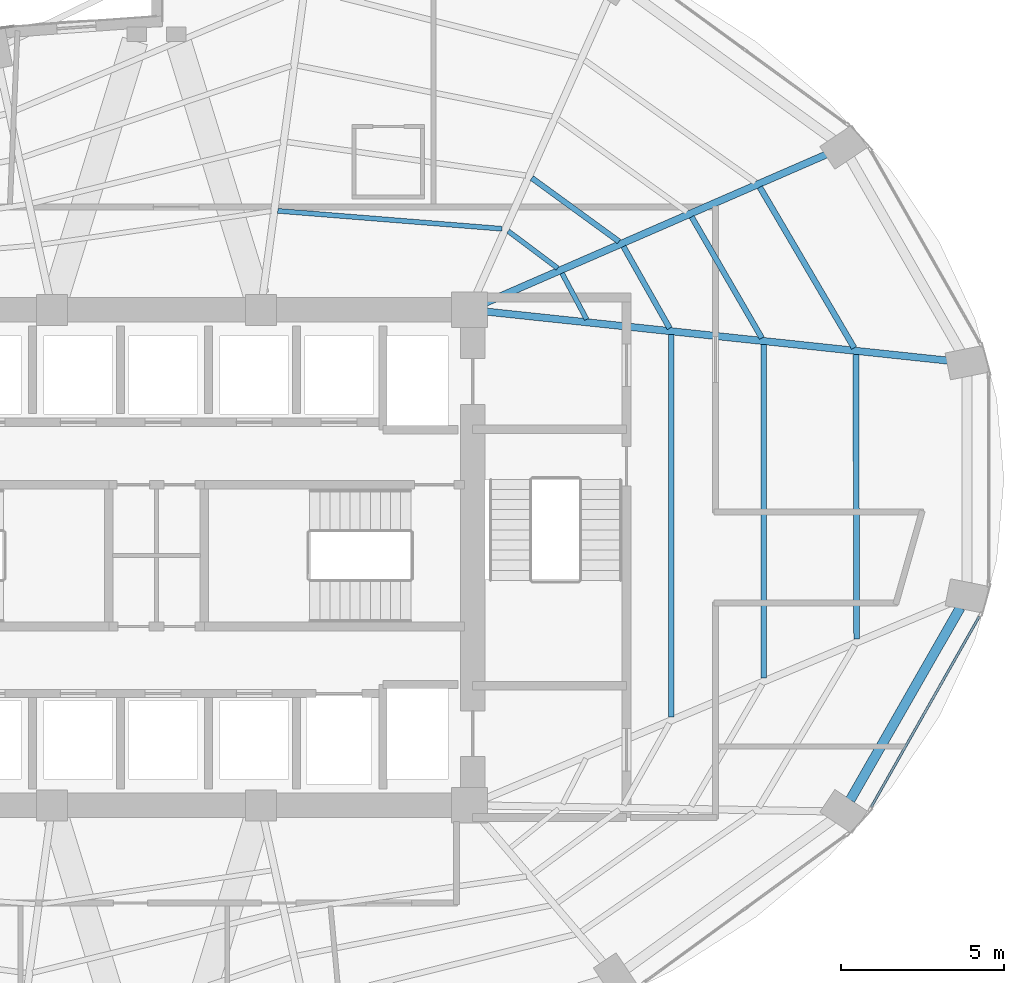
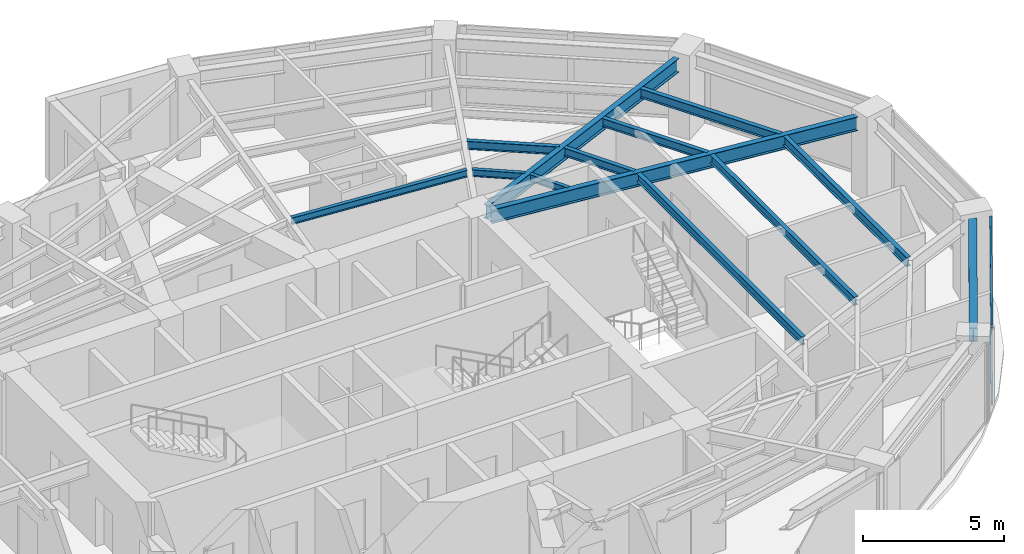
# One storey, part 13 of 24: 13 beams, 2 members, 1 element without a shape of its own.
"""IFC4 building model written with IfcOpenShell, lengths in metres."""

import ifcopenshell
import ifcopenshell.guid

model = None  # the IFC model being written
_history = None  # IfcOwnerHistory: only IFC2X3 demands one
_inside = {}  # id of a spatial element -> (the spatial element, [elements in it])
_under = {}  # id of a project, library or spatial element -> (it, [spatial elements below it])
_declared = {}  # id of a project -> (the project, [libraries it declares])
_typed = {}  # id of a type object -> (the type object, [elements of that type])
_made_of = {}  # id of a material, layer set ... -> (it, [elements and type objects made of it])


def new_model(schema):
    """Start an empty IFC model of exactly this schema.

    Asked for "IFC4X3", IfcOpenShell would pick the latest addendum, in which some entities
    have other attributes; the version numbers below select the first issue.
    IFC2X3 requires an IfcOwnerHistory on every rooted entity: one is made here for all.
    """
    global model, _history
    if schema == "IFC4X3":
        model = ifcopenshell.file(schema_version=(4, 3, 0, 0))
    else:
        model = ifcopenshell.file(schema=schema)
    _inside.clear()
    _under.clear()
    _declared.clear()
    _typed.clear()
    _made_of.clear()
    _history = None
    if model.schema == "IFC2X3":
        org = make("IfcOrganization", Name="unknown")
        user = make(
            "IfcPersonAndOrganization",
            ThePerson=make("IfcPerson", FamilyName="unknown"),
            TheOrganization=org,
        )
        app = make(
            "IfcApplication",
            ApplicationDeveloper=org,
            Version="unknown",
            ApplicationFullName="unknown",
            ApplicationIdentifier="unknown",
        )
        _history = make(
            "IfcOwnerHistory",
            OwningUser=user,
            OwningApplication=app,
            ChangeAction="ADDED",
            CreationDate=0,
        )
    return model


def make(cls, **values):
    """One entity of the class cls with the attributes given. An attribute that is None is left unset."""
    return model.create_entity(
        cls, **{name: value for name, value in values.items() if value is not None}
    )


def rooted(cls, **values):
    """An entity with a GlobalId (a new one), such as an element, a storey or a relation."""
    return make(cls, GlobalId=ifcopenshell.guid.new(), OwnerHistory=_history, **values)


def si_unit(unit_type, name, prefix=None):
    """IfcSIUnit, for example si_unit("LENGTHUNIT", "METRE", prefix="MILLI")."""
    return make("IfcSIUnit", UnitType=unit_type, Prefix=prefix, Name=name)


def assignment(units):
    """IfcUnitAssignment: the units of a project."""
    return None if units is None else make("IfcUnitAssignment", Units=units)


def point(xyz):
    """IfcCartesianPoint."""
    return None if xyz is None else make("IfcCartesianPoint", Coordinates=xyz)


def direction(xyz):
    """IfcDirection."""
    return None if xyz is None else make("IfcDirection", DirectionRatios=xyz)


def frame(location, z_axis=None, x_axis=None):
    """IfcAxis2Placement3D, a coordinate frame: its origin and axes. An axis left out is left unset."""
    return make(
        "IfcAxis2Placement3D",
        Location=point(location),
        Axis=direction(z_axis),
        RefDirection=direction(x_axis),
    )


def frame_2d(location, x_axis=None):
    """IfcAxis2Placement2D, a coordinate frame in the plane: its origin and x axis."""
    return make(
        "IfcAxis2Placement2D", Location=point(location), RefDirection=direction(x_axis)
    )


def origin():
    """The frame at (0, 0, 0) with its axes left unset."""
    return frame((0.0, 0.0, 0.0))


def origin_2d():
    """The frame at (0, 0) in the plane with its x axis left unset."""
    return frame_2d((0.0, 0.0))


def place(relative_to, where):
    """IfcLocalPlacement: puts the frame where relative to a parent placement (None: the world)."""
    return make(
        "IfcLocalPlacement", PlacementRelTo=relative_to, RelativePlacement=where
    )


def context(
    kind, dimensions, precision=None, world=None, true_north=None, identifier=None
):
    """IfcGeometricRepresentationContext, for example the 3D "Model" context."""
    return make(
        "IfcGeometricRepresentationContext",
        ContextIdentifier=identifier,
        ContextType=kind,
        CoordinateSpaceDimension=dimensions,
        Precision=precision,
        WorldCoordinateSystem=world,
        TrueNorth=true_north,
    )


def subcontext(parent, identifier, kind, view, scale=None):
    """IfcGeometricRepresentationSubContext, for example "Body" below "Model"."""
    return make(
        "IfcGeometricRepresentationSubContext",
        ContextIdentifier=identifier,
        ContextType=kind,
        ParentContext=parent,
        TargetScale=scale,
        TargetView=view,
    )


def project(units=None, contexts=None):
    """IfcProject with its units and contexts."""
    return rooted(
        "IfcProject",
        Name="project",
        RepresentationContexts=contexts,
        UnitsInContext=assignment(units),
    )


def spatial(cls, under=None, at=None, **own):
    """A site, building, storey or space (cls), placed at a placement, below another one or the project."""
    s = rooted(cls, ObjectPlacement=at, **own)
    if under is not None:
        _under.setdefault(under.id(), (under, []))[1].append(s)
    return s


def profile(cls, at=None, kind="AREA", **sizes):
    """A parametric profile (cls). Its sizes go by their IFC names, for example OverallWidth=200.0."""
    return make(cls, ProfileType=kind, Position=at, **sizes)


def hollow_rectangle(**sizes):
    """IfcRectangleHollowProfileDef."""
    return profile("IfcRectangleHollowProfileDef", **sizes)


def i_section(**sizes):
    """IfcIShapeProfileDef."""
    return profile("IfcIShapeProfileDef", **sizes)


def extrude(swept, where, along, depth):
    """IfcExtrudedAreaSolid: the profile swept, set in the frame where, extruded along a direction by depth."""
    return make(
        "IfcExtrudedAreaSolid",
        SweptArea=swept,
        Position=where,
        ExtrudedDirection=direction(along),
        Depth=depth,
    )


def shape(context_of_items, identifier, shape_type, items):
    """IfcShapeRepresentation: the items that make up one representation, for example the "Body"."""
    return make(
        "IfcShapeRepresentation",
        ContextOfItems=context_of_items,
        RepresentationIdentifier=identifier,
        RepresentationType=shape_type,
        Items=items,
    )


def material(Name=None, Category=None):
    """IfcMaterial."""
    return make("IfcMaterial", Name=Name, Category=Category)


def layer(
    of_material, thickness, ventilated=None, Name=None, Category=None, Priority=None
):
    """IfcMaterialLayer: one layer of a wall or slab, of a material (None: an air gap)."""
    return make(
        "IfcMaterialLayer",
        Material=of_material,
        LayerThickness=thickness,
        IsVentilated=ventilated,
        Name=Name,
        Category=Category,
        Priority=Priority,
    )


def layer_set(layers, Name=None):
    """IfcMaterialLayerSet."""
    return make("IfcMaterialLayerSet", MaterialLayers=layers, LayerSetName=Name)


def material_profile(
    of_material, cross_section, Name=None, Category=None, Priority=None
):
    """IfcMaterialProfile: a cross section and its material."""
    return make(
        "IfcMaterialProfile",
        Name=Name,
        Material=of_material,
        Profile=cross_section,
        Priority=Priority,
        Category=Category,
    )


def profile_set(profiles, Name=None, composite=None):
    """IfcMaterialProfileSet."""
    return make(
        "IfcMaterialProfileSet",
        Name=Name,
        MaterialProfiles=profiles,
        CompositeProfile=composite,
    )


def made_of(thing, what):
    """Note that an element or type object is made of a material, layer set ...; save() writes the relation."""
    if what is not None:
        _made_of.setdefault(what.id(), (what, []))[1].append(thing)
    return thing


def type_object(cls, material=None, **own):
    """A type object (cls), such as IfcWallType, which elements share."""
    return made_of(rooted(cls, **own), material)


def element(
    cls,
    number,
    at=None,
    inside=None,
    cuts=None,
    type_object=None,
    material=None,
    context=None,
    identifier="Body",
    shape_type=None,
    held_by="IfcProductDefinitionShape",
    body=None,
    shapes=None,
    **own,
):
    """One element of the class cls, such as IfcWall. Its Tag is "e" and its number.

    at: its placement. inside: the storey or other place that contains it. cuts: it is an
    opening in that element (IfcRelVoidsElement). A single representation is given by context,
    identifier, shape_type and body (its items); several are given by shapes. held_by: the class
    of the entity that holds the representations. save() writes the other relations.
    """
    e = rooted(cls, Tag="e%d" % number, ObjectPlacement=at, **own)
    if body is not None:
        shapes = [shape(context, identifier, shape_type, body)]
    if shapes is not None:
        e.Representation = make(held_by, Representations=shapes)
    if inside is not None:
        _inside.setdefault(inside.id(), (inside, []))[1].append(e)
    if cuts is not None:
        rooted(
            "IfcRelVoidsElement", RelatingBuildingElement=cuts, RelatedOpeningElement=e
        )
    if type_object is not None:
        _typed.setdefault(type_object.id(), (type_object, []))[1].append(e)
    return made_of(e, material)


def aggregate(whole, parts):
    """IfcRelAggregates: a whole, such as a stair, and the parts it consists of."""
    return rooted("IfcRelAggregates", RelatingObject=whole, RelatedObjects=parts)


def save(model, path):
    """Write the relations noted so far, then the file.

    IfcRelAggregates (storeys below a building ...), IfcRelContainedInSpatialStructure (elements
    in a storey), IfcRelDefinesByType, IfcRelAssociatesMaterial and IfcRelDeclares: one each for
    every whole, place, type object, material and project.
    """
    for whole, parts in _under.values():
        aggregate(whole, parts)
    for where, things in _inside.values():
        rooted(
            "IfcRelContainedInSpatialStructure",
            RelatedElements=things,
            RelatingStructure=where,
        )
    for kind, things in _typed.values():
        rooted("IfcRelDefinesByType", RelatedObjects=things, RelatingType=kind)
    for what, things in _made_of.values():
        rooted("IfcRelAssociatesMaterial", RelatedObjects=things, RelatingMaterial=what)
    for by, libraries in _declared.values():
        rooted("IfcRelDeclares", RelatingContext=by, RelatedDefinitions=libraries)
    model.write(path)


model = new_model("IFC4")

# Units and contexts
model_context = context("Model", 3, precision=1e-05, world=origin(), true_north=direction((0.0, 1.0)))
body_context = subcontext(model_context, "Body", "Model", "MODEL_VIEW")
ifc_project = project(units=[si_unit("LENGTHUNIT", "METRE"), si_unit("AREAUNIT", "SQUARE_METRE"), si_unit("VOLUMEUNIT", "CUBIC_METRE"), si_unit("PLANEANGLEUNIT", "RADIAN"), si_unit("MASSUNIT", "GRAM", prefix="KILO")], contexts=[model_context])

# Site, building, storey
site_placement = place(None, origin())
site = spatial("IfcSite", under=ifc_project, at=site_placement, CompositionType="ELEMENT")
building_placement = place(site_placement, origin())
building = spatial("IfcBuilding", under=site, at=building_placement, Name="Lazwardi Medical Tower", CompositionType="ELEMENT")
storey_placement = place(building_placement, frame((0.0, 0.0, 110.927978515625)))
storey = spatial("IfcBuildingStorey", under=building, at=storey_placement, Name="L28", CompositionType="ELEMENT", Elevation=110.927978515625)

# Beams
ifc_material_1 = material(Name="Steel S355", Category="steel")
ifc_material_profile_1 = material_profile(ifc_material_1, i_section(OverallWidth=0.300048828125, OverallDepth=0.60009765625, WebThickness=0.015380859375, FlangeThickness=0.030029296875, at=origin_2d()), Name="HEB 600")
ifc_profile_set_1 = profile_set([ifc_material_profile_1], Name="Steel S355")
beam_type_1 = type_object("IfcBeamType", Name="BM-RB-Z2", PredefinedType="BEAM", material=ifc_profile_set_1)
beam_1_placement = place(storey_placement, frame((57.281494140625, 20.561279296875, 3.1279296875), z_axis=(0.496653025517, 0.867949176072, 0.0), x_axis=(-0.867949176072, 0.496653025517, 0.0)))
element("IfcBeam", 1, at=beam_1_placement, inside=storey, type_object=beam_type_1, Name="Ring beam RB-03 B03 L28", PredefinedType="BEAM", context=body_context, shape_type="SweptSolid", body=[
    extrude(i_section(OverallWidth=0.300048828125, OverallDepth=0.60009765625, WebThickness=0.015380859375, FlangeThickness=0.030029296875, at=origin_2d()), origin(), (0.0, 0.0, 1.0), 6.80078125),
])
ifc_material_profile_2 = material_profile(ifc_material_1, i_section(OverallWidth=0.219970703125, OverallDepth=0.60009765625, WebThickness=0.011962890625, FlangeThickness=0.01904296875, at=origin_2d()), Name="IPE 600")
ifc_profile_set_2 = profile_set([ifc_material_profile_2], Name="Steel S355")
beam_type_2 = type_object("IfcBeamType", Name="BM-RG-W1", PredefinedType="BEAM", material=ifc_profile_set_2)
beam_2_placement = place(storey_placement, frame((60.2861328125, 34.041015625, 3.1279296875), z_axis=(-0.994413340753, 0.10555618282, 0.0), x_axis=(-0.10555618282, -0.994413340753, 0.0)))
element("IfcBeam", 2, at=beam_2_placement, inside=storey, type_object=beam_type_2, Name="Radial girder RG-02 R05 L28", PredefinedType="BEAM", context=body_context, shape_type="SweptSolid", body=[
    extrude(i_section(OverallWidth=0.219970703125, OverallDepth=0.60009765625, WebThickness=0.011962890625, FlangeThickness=0.01904296875, at=origin_2d()), origin(), (0.0, 0.0, 1.0), 14.233642578125),
])
beam_3_placement = place(storey_placement, frame((56.5458984375, 40.36328125, 3.1279296875), z_axis=(-0.916941336121, -0.399022037127, 0.0), x_axis=(0.399022037127, -0.916941336121, 0.0)))
element("IfcBeam", 3, at=beam_3_placement, inside=storey, type_object=beam_type_2, Name="Radial girder RG-02 R06 L28", PredefinedType="BEAM", context=body_context, shape_type="SweptSolid", body=[
    extrude(i_section(OverallWidth=0.219970703125, OverallDepth=0.60009765625, WebThickness=0.011962890625, FlangeThickness=0.01904296875, at=origin_2d()), origin(), (0.0, 0.0, 1.0), 11.40234375),
])
ifc_material_profile_3 = material_profile(ifc_material_1, i_section(OverallWidth=0.179931640625, OverallDepth=0.39990234375, WebThickness=0.008544921875, FlangeThickness=0.013427734375, at=origin_2d()), Name="IPE 400")
ifc_profile_set_3 = profile_set([ifc_material_profile_3], Name="Steel S355")
beam_type_3 = type_object("IfcBeamType", Name="BM-SJ-01", PredefinedType="JOIST", material=ifc_profile_set_3)
beam_4_placement = place(storey_placement, frame((57.48095703125, 25.502685546875, 3.22802734375), z_axis=(-0.002907126978, 0.999995774297, 0.0), x_axis=(-0.999995774297, -0.002907126978, 0.0)))
element("IfcBeam", 4, at=beam_4_placement, inside=storey, type_object=beam_type_3, Name="Secondary joist SJ-01 R1 B04 L28", PredefinedType="JOIST", context=body_context, shape_type="SweptSolid", body=[
    extrude(i_section(OverallWidth=0.179931640625, OverallDepth=0.39990234375, WebThickness=0.008544921875, FlangeThickness=0.013427734375, at=origin_2d()), origin(), (0.0, 0.0, 1.0), 8.73388671875),
])
beam_5_placement = place(storey_placement, frame((57.402099609375, 34.43212890625, 3.22802734375), z_axis=(-0.506195045201, 0.862419025888, 0.0), x_axis=(-0.862419025888, -0.506195045201, 0.0)))
element("IfcBeam", 5, at=beam_5_placement, inside=storey, type_object=beam_type_3, Name="Secondary joist SJ-01 R1 B05 L28", PredefinedType="JOIST", context=body_context, shape_type="SweptSolid", body=[
    extrude(i_section(OverallWidth=0.179931640625, OverallDepth=0.39990234375, WebThickness=0.008544921875, FlangeThickness=0.013427734375, at=origin_2d()), origin(), (0.0, 0.0, 1.0), 5.71728515625),
])
ifc_material_profile_4 = material_profile(ifc_material_1, i_section(OverallWidth=0.169921875, OverallDepth=0.360107421875, WebThickness=0.008056640625, FlangeThickness=0.0126953125, at=origin_2d()), Name="IPE 360")
ifc_profile_set_4 = profile_set([ifc_material_profile_4], Name="Steel S355")
beam_type_4 = type_object("IfcBeamType", Name="BM-SJ-02", PredefinedType="JOIST", material=ifc_profile_set_4)
beam_6_placement = place(storey_placement, frame((54.634033203125, 24.30517578125, 3.248046875), z_axis=(-0.000930565095, 0.999999567024, 0.0), x_axis=(-0.999999567024, -0.000930565095, 0.0)))
element("IfcBeam", 6, at=beam_6_placement, inside=storey, type_object=beam_type_4, Name="Secondary joist SJ-02 R2 B04 L28", PredefinedType="JOIST", context=body_context, shape_type="SweptSolid", body=[
    extrude(i_section(OverallWidth=0.169921875, OverallDepth=0.360107421875, WebThickness=0.008056640625, FlangeThickness=0.0126953125, at=origin_2d()), origin(), (0.0, 0.0, 1.0), 10.23193359375),
])
beam_7_placement = place(storey_placement, frame((54.57177734375, 34.73291015625, 3.248046875), z_axis=(-0.501365325212, 0.865235696602, 0.0), x_axis=(-0.865235696602, -0.501365325212, 0.0)))
element("IfcBeam", 7, at=beam_7_placement, inside=storey, type_object=beam_type_4, Name="Secondary joist SJ-02 R2 B05 L28", PredefinedType="JOIST", context=body_context, shape_type="SweptSolid", body=[
    extrude(i_section(OverallWidth=0.169921875, OverallDepth=0.360107421875, WebThickness=0.008056640625, FlangeThickness=0.0126953125, at=origin_2d()), origin(), (0.0, 0.0, 1.0), 4.298828125),
])
beam_8_placement = place(storey_placement, frame((51.787109375, 23.107421875, 3.248046875), z_axis=(0.000561961365, 0.9999998421, 0.0), x_axis=(-0.9999998421, 0.000561961365, 0.0)))
element("IfcBeam", 8, at=beam_8_placement, inside=storey, type_object=beam_type_4, Name="Secondary joist SJ-02 R3 B04 L28", PredefinedType="JOIST", context=body_context, shape_type="SweptSolid", body=[
    extrude(i_section(OverallWidth=0.169921875, OverallDepth=0.360107421875, WebThickness=0.008056640625, FlangeThickness=0.0126953125, at=origin_2d()), origin(), (0.0, 0.0, 1.0), 11.72998046875),
])
beam_9_placement = place(storey_placement, frame((51.741943359375, 35.033935546875, 3.248046875), z_axis=(-0.492026539517, 0.870580199873, 0.0), x_axis=(-0.870580199873, -0.492026539517, 0.0)))
element("IfcBeam", 9, at=beam_9_placement, inside=storey, type_object=beam_type_4, Name="Secondary joist SJ-02 R3 B05 L28", PredefinedType="JOIST", context=body_context, shape_type="SweptSolid", body=[
    extrude(i_section(OverallWidth=0.169921875, OverallDepth=0.360107421875, WebThickness=0.008056640625, FlangeThickness=0.0126953125, at=origin_2d()), origin(), (0.0, 0.0, 1.0), 2.880859375),
])
beam_10_placement = place(storey_placement, frame((50.18798828125, 37.6953125, 3.248046875), z_axis=(-0.808301737247, 0.588768461761, 0.0), x_axis=(-0.588768461761, -0.808301737247, 0.0)))
element("IfcBeam", 10, at=beam_10_placement, inside=storey, type_object=beam_type_4, Name="Secondary joist SJ-02 R3 B06 L28", PredefinedType="JOIST", context=body_context, shape_type="SweptSolid", body=[
    extrude(i_section(OverallWidth=0.169921875, OverallDepth=0.360107421875, WebThickness=0.008056640625, FlangeThickness=0.0126953125, at=origin_2d()), origin(), (0.0, 0.0, 1.0), 3.307373046875),
])
ifc_material_profile_5 = material_profile(ifc_material_1, i_section(OverallWidth=0.14990234375, OverallDepth=0.300048828125, WebThickness=0.007080078125, FlangeThickness=0.0107421875, at=origin_2d()), Name="IPE 300")
ifc_profile_set_5 = profile_set([ifc_material_profile_5], Name="Steel S355")
beam_type_5 = type_object("IfcBeamType", Name="BM-SJ-03", PredefinedType="JOIST", material=ifc_profile_set_5)
beam_11_placement = place(storey_placement, frame((49.1962890625, 35.3056640625, 3.278076171875), z_axis=(-0.471022344925, 0.882121278839, 0.0), x_axis=(-0.882121278839, -0.471022344925, 0.0)))
element("IfcBeam", 11, at=beam_11_placement, inside=storey, type_object=beam_type_5, Name="Secondary joist SJ-03 R4 B05 L28", PredefinedType="JOIST", context=body_context, shape_type="SweptSolid", body=[
    extrude(i_section(OverallWidth=0.14990234375, OverallDepth=0.300048828125, WebThickness=0.007080078125, FlangeThickness=0.0107421875, at=origin_2d()), origin(), (0.0, 0.0, 1.0), 1.605224609375),
])
beam_12_placement = place(storey_placement, frame((48.306640625, 36.87744140625, 3.278076171875), z_axis=(-0.800447687995, 0.599402618265, 0.0), x_axis=(-0.599402618265, -0.800447687995, 0.0)))
element("IfcBeam", 12, at=beam_12_placement, inside=storey, type_object=beam_type_5, Name="Secondary joist SJ-03 R4 B06 L28", PredefinedType="JOIST", context=body_context, shape_type="SweptSolid", body=[
    extrude(i_section(OverallWidth=0.14990234375, OverallDepth=0.300048828125, WebThickness=0.007080078125, FlangeThickness=0.0107421875, at=origin_2d()), origin(), (0.0, 0.0, 1.0), 1.896728515625),
])
beam_13_placement = place(storey_placement, frame((46.599609375, 38.085693359375, 3.278076171875), z_axis=(-0.996816178299, 0.079733974445, 0.0), x_axis=(-0.079733974445, -0.996816178299, 0.0)))
element("IfcBeam", 13, at=beam_13_placement, inside=storey, type_object=beam_type_5, Name="Secondary joist SJ-03 R4 B07 L28", PredefinedType="JOIST", context=body_context, shape_type="SweptSolid", body=[
    extrude(i_section(OverallWidth=0.14990234375, OverallDepth=0.300048828125, WebThickness=0.007080078125, FlangeThickness=0.0107421875, at=origin_2d()), origin(), (0.0, 0.0, 1.0), 6.901611328125),
])

# Curtain wall, members
ifc_material_2 = material(Name="Anodised bronze aluminium and solar control glazing", Category="aluminium")
ifc_layer = layer(ifc_material_2, 0.195068359375)
ifc_layer_set = layer_set([ifc_layer], Name="Anodised bronze aluminium and solar control glazing")
curtain_wall_type = type_object("IfcCurtainWallType", Name="CW-SYS-03", PredefinedType="NOTDEFINED", material=ifc_layer_set)
curtain_wall_placement = place(storey_placement, origin())
curtain_wall = element("IfcCurtainWall", 14, at=curtain_wall_placement, inside=storey, type_object=curtain_wall_type, Name="L28 Unitised bronze curtain wall CW-03", PredefinedType="NOTDEFINED")
ifc_material_3 = material(Name="Anodised bronze aluminium", Category="aluminium")
ifc_material_profile_6 = material_profile(ifc_material_3, hollow_rectangle(XDim=0.074951171875, YDim=0.159912109375, WallThickness=0.00390625, at=origin_2d()), Name="ALU-TRANSOM 160x75x4")
ifc_profile_set_6 = profile_set([ifc_material_profile_6], Name="Anodised bronze aluminium")
member_type = type_object("IfcMemberType", Name="CW-TRN-01", PredefinedType="USERDEFINED", material=ifc_profile_set_6)
member_1_placement = place(storey_placement, frame((57.925537109375, 20.3466796875, 0.03759765625), z_axis=(0.493614427365, 0.869680859337, 0.0), x_axis=(-0.869680859337, 0.493614427365, 0.0)))
member_1 = element("IfcMember", 15, at=member_1_placement, type_object=member_type, Name="CW-03 transom 1.1", ObjectType="TRANSOM", PredefinedType="USERDEFINED", context=body_context, shape_type="SweptSolid", body=[
    extrude(hollow_rectangle(XDim=0.074951171875, YDim=0.159912109375, WallThickness=0.00390625, at=origin_2d()), origin(), (0.0, 0.0, 1.0), 6.72314453125),
])
member_2_placement = place(storey_placement, frame((57.925537109375, 20.3466796875, 3.390625), z_axis=(0.493614427365, 0.869680859337, 0.0), x_axis=(-0.869680859337, 0.493614427365, 0.0)))
member_2 = element("IfcMember", 16, at=member_2_placement, type_object=member_type, Name="CW-03 transom 1.2", ObjectType="TRANSOM", PredefinedType="USERDEFINED", context=body_context, shape_type="SweptSolid", body=[
    extrude(hollow_rectangle(XDim=0.074951171875, YDim=0.159912109375, WallThickness=0.00390625, at=origin_2d()), origin(), (0.0, 0.0, 1.0), 6.72314453125),
])
aggregate(curtain_wall, [member_1, member_2])

save(model, "model.ifc")
